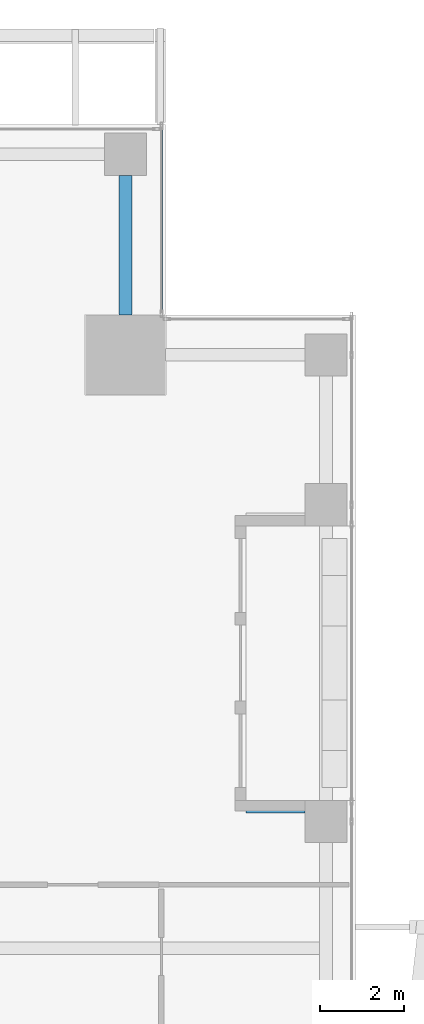
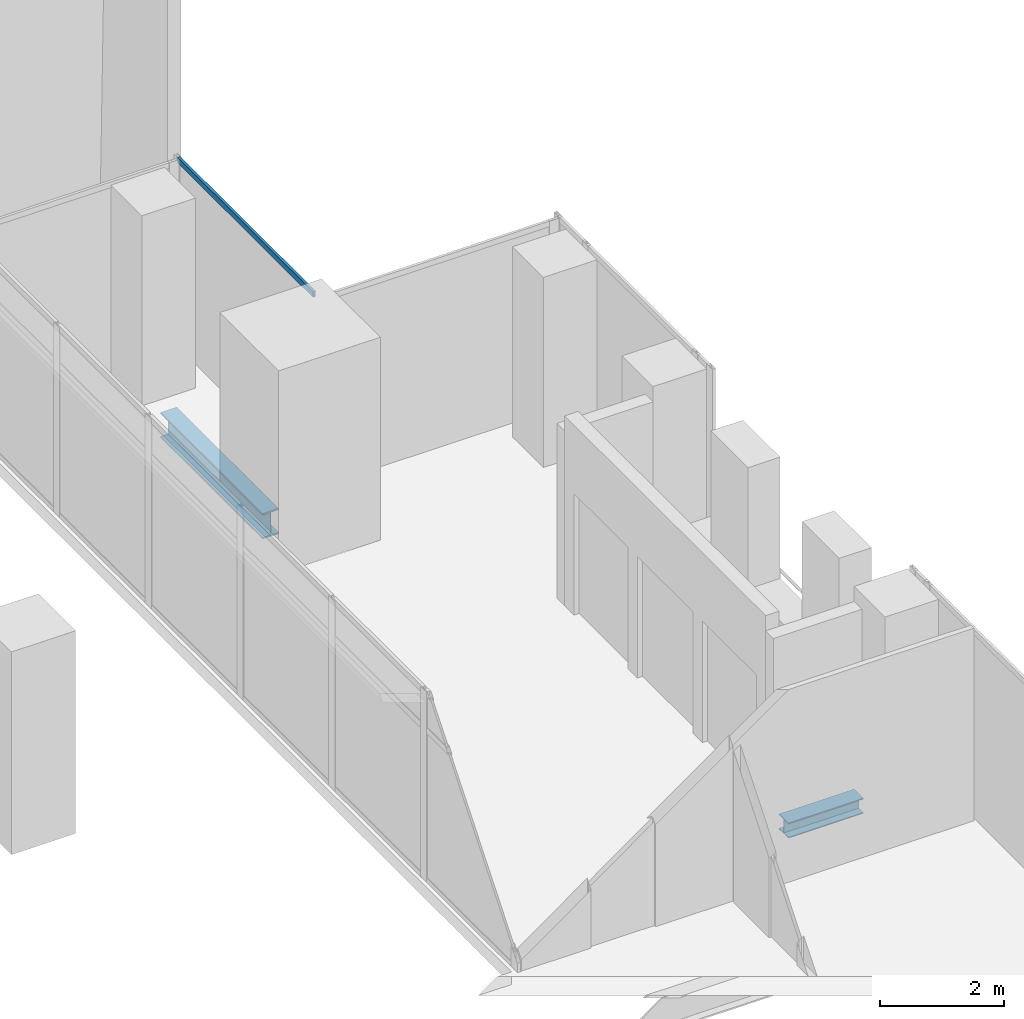
# One storey, part 24 of 40: 2 beams, 1 member, 1 element without a shape of its own.
"""IFC4 building model written with IfcOpenShell, lengths in metres."""

from ifc_helpers import new_model, si_unit, direction, frame, origin, origin_2d, place, context, subcontext, project, spatial, hollow_rectangle, i_section, extrude, source, transform, mapped, material, material_profile, profile_set, type_object, element, aggregate, save


model = new_model("IFC4")

# Units and contexts
model_context = context("Model", 3, precision=1e-05, world=origin(), true_north=direction((0.0, 1.0)))
body_context = subcontext(model_context, "Body", "Model", "MODEL_VIEW")
ifc_project = project(units=[si_unit("LENGTHUNIT", "METRE"), si_unit("AREAUNIT", "SQUARE_METRE"), si_unit("VOLUMEUNIT", "CUBIC_METRE"), si_unit("PLANEANGLEUNIT", "RADIAN"), si_unit("MASSUNIT", "GRAM", prefix="KILO")], contexts=[model_context])

# Site, building, storey
site_placement = place(None, origin())
site = spatial("IfcSite", under=ifc_project, at=site_placement, CompositionType="ELEMENT")
building_placement = place(site_placement, origin())
building = spatial("IfcBuilding", under=site, at=building_placement, Name="Khomas Fold Tower", CompositionType="ELEMENT")
storey_placement = place(building_placement, frame((0.0, 0.0, 176.699951171875)))
storey = spatial("IfcBuildingStorey", under=building, at=storey_placement, Name="L38", CompositionType="ELEMENT", Elevation=176.699951171875)

# Beams
ifc_material_1 = material(Name="Steel S355", Category="steel")
ifc_material_profile_1 = material_profile(ifc_material_1, i_section(OverallWidth=0.300048828125, OverallDepth=0.5, WebThickness=0.014404296875, FlangeThickness=0.028076171875, at=origin_2d()), Name="HE 500 B")
ifc_profile_set_1 = profile_set([ifc_material_profile_1], Name="Steel S355")
beam_type_1 = type_object("IfcBeamType", Name="HE 500 B spandrel SB3", PredefinedType="SPANDREL", material=ifc_profile_set_1)
shared_shape_1 = source(origin(), body_context, "Body", "SweptSolid", [
    extrude(i_section(OverallWidth=0.300048828125, OverallDepth=0.5, WebThickness=0.014404296875, FlangeThickness=0.028076171875, at=origin_2d()), origin(), (0.0, 0.0, 1.0), 3.300048828125),
])
beam_1_placement = place(storey_placement, frame((45.550048828125, 46.5, -0.5), z_axis=(0.0, 1.0, 0.0), x_axis=(-1.0, 0.0, 0.0)))
element("IfcBeam", 1, at=beam_1_placement, inside=storey, type_object=beam_type_1, Name="SB3", PredefinedType="SPANDREL", context=body_context, shape_type="MappedRepresentation", body=[
    mapped(shared_shape_1, transform((0.0, 0.0, 0.0))),
])
ifc_material_2 = material(Name="Steel S355", Category="steel")
ifc_material_profile_2 = material_profile(ifc_material_2, i_section(OverallWidth=0.300048828125, OverallDepth=0.300048828125, WebThickness=0.010986328125, FlangeThickness=0.01904296875, at=origin_2d()), Name="HE 300 B")
ifc_profile_set_2 = profile_set([ifc_material_profile_2], Name="Steel S355")
beam_type_2 = type_object("IfcBeamType", Name="HE 300 B beam BB1", PredefinedType="BEAM", material=ifc_profile_set_2)
shared_shape_2 = source(origin(), body_context, "Body", "SweptSolid", [
    extrude(i_section(OverallWidth=0.300048828125, OverallDepth=0.300048828125, WebThickness=0.010986328125, FlangeThickness=0.01904296875, at=origin_2d()), origin(), (0.0, 0.0, 1.0), 1.400146484375),
])
beam_2_placement = place(storey_placement, frame((48.39990234375, 34.85009765625, -0.39990234375), z_axis=(1.0, 0.0, 0.0), x_axis=(0.0, 1.0, 0.0)))
element("IfcBeam", 2, at=beam_2_placement, inside=storey, type_object=beam_type_2, Name="BB1", PredefinedType="BEAM", context=body_context, shape_type="MappedRepresentation", body=[
    mapped(shared_shape_2, transform((0.0, 0.0, 0.0))),
])

# Curtain wall, member
ifc_material_3 = material(Name="Aluminium framed double glazing", Category="aluminium")
curtain_wall_type = type_object("IfcCurtainWallType", Name="SK-Unitised clear-glass wall, office floors CW2", PredefinedType="NOTDEFINED", material=ifc_material_3)
curtain_wall_placement = place(storey_placement, origin())
curtain_wall = element("IfcCurtainWall", 3, at=curtain_wall_placement, inside=storey, type_object=curtain_wall_type, Name="CW2 corner return L38 10", PredefinedType="NOTDEFINED")
ifc_material_4 = material(Name="Aluminium", Category="aluminium")
ifc_material_profile_3 = material_profile(ifc_material_4, hollow_rectangle(XDim=0.050048828125, YDim=0.110107421875, WallThickness=0.00390625, at=origin_2d()), Name="SK-Unitised clear-glass wall, office floors transom CW2-T")
ifc_profile_set_3 = profile_set([ifc_material_profile_3], Name="Aluminium")
member_type = type_object("IfcMemberType", Name="SK-Unitised clear-glass wall, office floors transom CW2-T", PredefinedType="USERDEFINED", material=ifc_profile_set_3)
shared_shape_3 = source(origin(), body_context, "Body", "SweptSolid", [
    extrude(hollow_rectangle(XDim=0.050048828125, YDim=0.110107421875, WallThickness=0.00390625, at=origin_2d()), origin(), (0.0, 0.0, 1.0), 4.3798828125),
])
member_placement = place(storey_placement, frame((46.39990234375, 46.56005859375, 3.695068359375), z_axis=(0.0, 1.0, 0.0), x_axis=(-1.0, 0.0, 0.0)))
member = element("IfcMember", 4, at=member_placement, type_object=member_type, Name="CW2 transom 1", ObjectType="TRANSOM", PredefinedType="USERDEFINED", context=body_context, shape_type="MappedRepresentation", body=[
    mapped(shared_shape_3, transform((0.0, 0.0, 0.0))),
])
aggregate(curtain_wall, [member])

save(model, "model.ifc")
